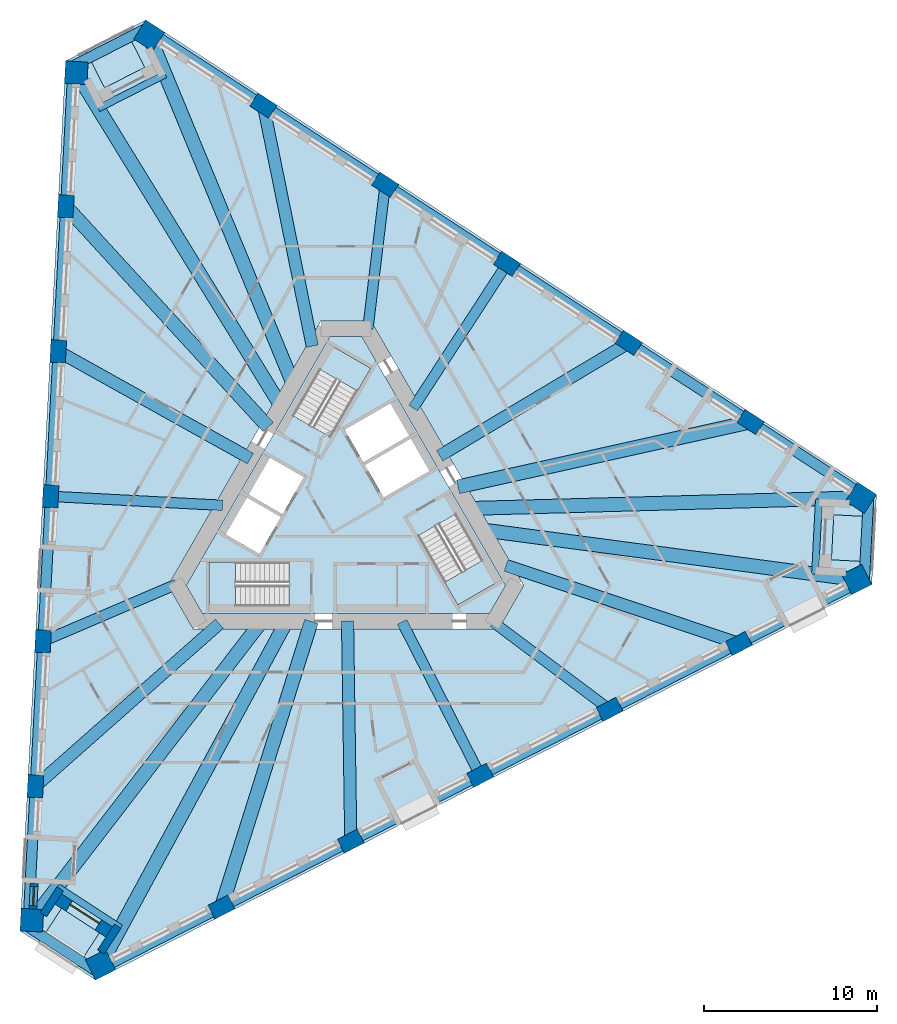
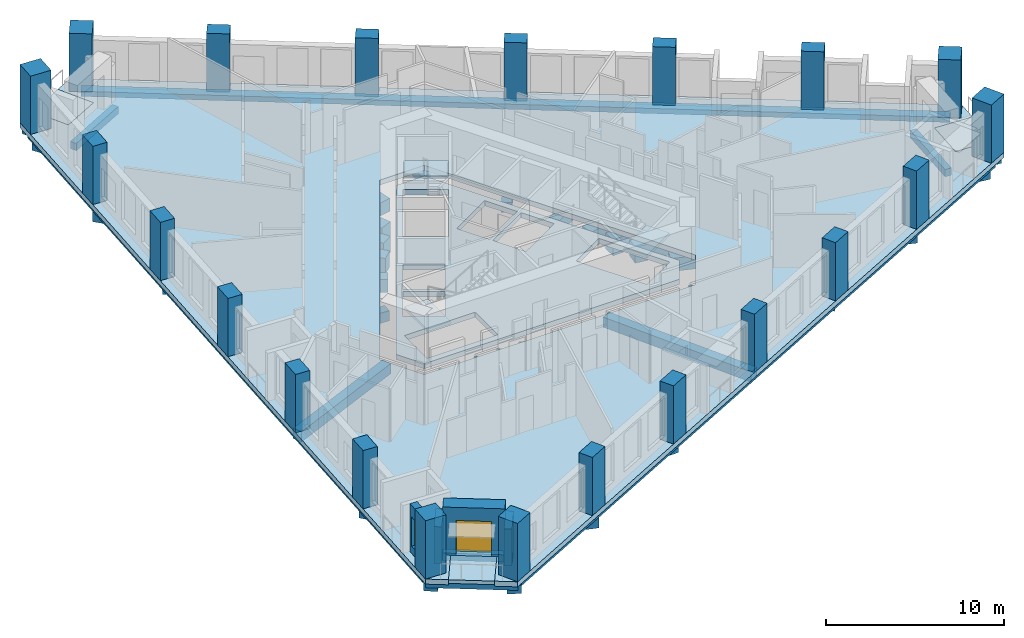
# One storey, part 1 of 13: 30 beams, 21 columns, 8 slabs, 4 walls, 1 door, 1 window, 2 openings, 3 elements without a shape of their own.
"""IFC4 building model written with IfcOpenShell, lengths in metres."""

from ifc_helpers import new_model, si_unit, direction, frame, frame_2d, origin, origin_2d, place, context, subcontext, project, spatial, polyline, rectangle, outline, extrude, material, layer, layer_set, material_profile, profile_set, type_object, element, fill, aggregate, save


model = new_model("IFC4")

# Units and contexts
model_context = context("Model", 3, precision=1e-05, world=origin(), true_north=direction((0.0, 1.0)))
body_context = subcontext(model_context, "Body", "Model", "MODEL_VIEW")
ifc_project = project(units=[si_unit("LENGTHUNIT", "METRE"), si_unit("AREAUNIT", "SQUARE_METRE"), si_unit("VOLUMEUNIT", "CUBIC_METRE"), si_unit("PLANEANGLEUNIT", "RADIAN"), si_unit("MASSUNIT", "GRAM", prefix="KILO")], contexts=[model_context])

# Site, building, storey
site_placement = place(None, origin())
site = spatial("IfcSite", under=ifc_project, at=site_placement, CompositionType="ELEMENT")
building_placement = place(site_placement, origin())
building = spatial("IfcBuilding", under=site, at=building_placement, Name="Tramontana Tower", CompositionType="ELEMENT")
storey_placement = place(building_placement, frame((0.0, 0.0, 141.60009765625)))
storey = spatial("IfcBuildingStorey", under=building, at=storey_placement, Name="L32", CompositionType="ELEMENT", Elevation=141.60009765625)

# Columns
ifc_material_1 = material(Name="Concrete 70 MPa", Category="concrete")
ifc_material_profile_1 = material_profile(ifc_material_1, rectangle(XDim=1.300048828125, YDim=1.300048828125, at=origin_2d()), Name="Mega column 1300X1300 70 MPa")
ifc_profile_set_1 = profile_set([ifc_material_profile_1], Name="Concrete 70 MPa")
column_type_1 = type_object("IfcColumnType", Name="Mega column 1300X1300 70 MPa", PredefinedType="COLUMN", material=ifc_profile_set_1)
for number, where, z_axis, x_axis, name in (
    (1, (-15.546630859375, 25.31298828125, 0.0), (0.0, 0.0, 1.0), (-0.052335956243, -0.998629534755, 0.0), "Mega column C3K1 L32"),
    (2, (-18.107177734375, -23.54931640625, 0.0), (0.0, 0.0, 1.0), (-0.052335956243, -0.998629534755, 0.0), "Mega column C3K2 L32"),
    (3, (-14.1484375, -26.1201171875, 0.0), (0.0, 0.0, 1.0), (0.891006524188, 0.45399049974, 0.0), "Mega column C3K3 L32"),
    (4, (29.447998046875, -3.90673828125, 0.0), (0.0, 0.0, 1.0), (0.891006524188, 0.45399049974, 0.0), "Mega column C3K4 L32"),
    (5, (29.695068359375, 0.80712890625, 0.0), (0.0, 0.0, 1.0), (-0.838670567945, 0.544639035015, 0.0), "Mega column C3K5 L32"),
    (6, (-11.340576171875, 27.4560546875, 0.0), (0.0, 0.0, 1.0), (-0.838670567945, 0.544639035015, 0.0), "Mega column C3K6 L32"),
):
    element("IfcColumn", number, at=place(storey_placement, frame(where, z_axis=z_axis, x_axis=x_axis)), inside=storey, type_object=column_type_1, Name=name, PredefinedType="COLUMN", context=body_context, shape_type="SweptSolid", body=[
        extrude(rectangle(XDim=1.300048828125, YDim=1.300048828125, at=origin_2d()), origin(), (0.0, 0.0, 1.0), 4.0),
    ])
ifc_material_2 = material(Name="Concrete 55 MPa", Category="concrete")
ifc_material_profile_2 = material_profile(ifc_material_2, rectangle(XDim=1.300048828125, YDim=0.89990234375, at=origin_2d()), Name="Pier column 1300X900 55 MPa")
ifc_profile_set_2 = profile_set([ifc_material_profile_2], Name="Concrete 55 MPa")
column_type_2 = type_object("IfcColumnType", Name="Pier column 1300X900 55 MPa", PredefinedType="COLUMN", material=ifc_profile_set_2)
for number, where, z_axis, x_axis, name in (
    (7, (-16.150390625, 17.612548828125, 0.0), (0.0, 0.0, 1.0), (-0.052335956243, -0.998629534755, 0.0), "Pier column C3F01 L32"),
    (8, (-16.58837890625, 9.25244140625, 0.0), (0.0, 0.0, 1.0), (-0.052335956243, -0.998629534755, 0.0), "Pier column C3F02 L32"),
    (9, (-17.026611328125, 0.892333984375, 0.0), (0.0, 0.0, 1.0), (-0.052335956243, -0.998629534755, 0.0), "Pier column C3F03 L32"),
    (10, (-17.46484375, -7.4677734375, 0.0), (0.0, 0.0, 1.0), (-0.052335956243, -0.998629534755, 0.0), "Pier column C3F04 L32"),
    (11, (-17.90283203125, -15.827880859375, 0.0), (0.0, 0.0, 1.0), (-0.052335956243, -0.998629534755, 0.0), "Pier column C3F05 L32"),
    (12, (-7.177734375, -22.79296875, 0.0), (0.0, 0.0, 1.0), (0.891006524188, 0.45399049974, 0.0), "Pier column C3F06 L32"),
    (13, (0.281494140625, -18.9921875, 0.0), (0.0, 0.0, 1.0), (0.891006524188, 0.45399049974, 0.0), "Pier column C3F07 L32"),
    (14, (7.740478515625, -15.191650390625, 0.0), (0.0, 0.0, 1.0), (0.891006524188, 0.45399049974, 0.0), "Pier column C3F08 L32"),
    (15, (15.19970703125, -11.39111328125, 0.0), (0.0, 0.0, 1.0), (0.891006524188, 0.45399049974, 0.0), "Pier column C3F09 L32"),
    (16, (22.65869140625, -7.59033203125, 0.0), (0.0, 0.0, 1.0), (0.891006524188, 0.45399049974, 0.0), "Pier column C3F10 L32"),
    (17, (23.328125, 5.180419921875, 0.0), (0.0, 0.0, 1.0), (-0.838670567945, 0.544639035015, 0.0), "Pier column C3F11 L32"),
    (18, (16.30712890625, 9.73974609375, 0.0), (0.0, 0.0, 1.0), (-0.838670567945, 0.544639035015, 0.0), "Pier column C3F12 L32"),
    (19, (9.2861328125, 14.29931640625, 0.0), (0.0, 0.0, 1.0), (-0.838670567945, 0.544639035015, 0.0), "Pier column C3F13 L32"),
    (20, (2.26513671875, 18.85888671875, 0.0), (0.0, 0.0, 1.0), (-0.838670567945, 0.544639035015, 0.0), "Pier column C3F14 L32"),
    (21, (-4.755859375, 23.418212890625, 0.0), (0.0, 0.0, 1.0), (-0.838670567945, 0.544639035015, 0.0), "Pier column C3F15 L32"),
):
    element("IfcColumn", number, at=place(storey_placement, frame(where, z_axis=z_axis, x_axis=x_axis)), inside=storey, type_object=column_type_2, Name=name, PredefinedType="COLUMN", context=body_context, shape_type="SweptSolid", body=[
        extrude(rectangle(XDim=1.300048828125, YDim=0.89990234375, at=origin_2d()), origin(), (0.0, 0.0, 1.0), 4.0),
    ])

# Beams
ifc_material_3 = material(Name="Concrete 40 MPa", Category="concrete")
ifc_material_profile_3 = material_profile(ifc_material_3, rectangle(XDim=0.60009765625, YDim=0.35009765625, at=origin_2d()), Name="RC EDGE BEAM 600X350 40 MPa")
ifc_profile_set_3 = profile_set([ifc_material_profile_3], Name="Concrete 40 MPa")
beam_type_1 = type_object("IfcBeamType", Name="RC EDGE BEAM 600X350 40 MPa", PredefinedType="SPANDREL", material=ifc_profile_set_3)
for number, where, z_axis, x_axis, name in (
    (22, (-15.74609375, 25.323486328125, -0.525146484375), (-0.052336488944, -0.998629506837, 0.0), (0.998629506837, -0.052336488944, 0.0), "Spandrel beam S0 L32"),
    (23, (-14.0576171875, -26.29833984375, -0.525146484375), (0.89100747088, 0.453988641748, 0.0), (-0.453988641748, 0.89100747088, 0.0), "Spandrel beam S1 L32"),
    (24, (29.803955078125, 0.974853515625, -0.525146484375), (-0.838669945923, 0.544639992844, 0.0), (-0.544639992844, -0.838669945923, 0.0), "Spandrel beam S2 L32"),
):
    element("IfcBeam", number, at=place(storey_placement, frame(where, z_axis=z_axis, x_axis=x_axis)), inside=storey, type_object=beam_type_1, Name=name, PredefinedType="SPANDREL", context=body_context, shape_type="SweptSolid", body=[
        extrude(rectangle(XDim=0.60009765625, YDim=0.35009765625, at=origin_2d()), origin(), (0.0, 0.0, 1.0), 48.929443359375),
    ])
for number, where, z_axis, x_axis, name in (
    (25, (-11.327392578125, 27.9541015625, -0.525146484375), (-0.891018699398, -0.453966603753, 0.0), (0.453966603753, -0.891018699398, 0.0), "Spandrel beam K0 L32"),
    (26, (-18.54541015625, -23.787109375, -0.525146484375), (0.838668969916, -0.544641495757, 0.0), (0.544641495757, 0.838668969916, 0.0), "Spandrel beam K1 L32"),
):
    element("IfcBeam", number, at=place(storey_placement, frame(where, z_axis=z_axis, x_axis=x_axis)), inside=storey, type_object=beam_type_1, Name=name, PredefinedType="SPANDREL", context=body_context, shape_type="SweptSolid", body=[
        extrude(rectangle(XDim=0.60009765625, YDim=0.35009765625, at=origin_2d()), origin(), (0.0, 0.0, 1.0), 5.1962890625),
    ])
beam_1_placement = place(storey_placement, frame((29.872802734375, -4.167236328125, -0.525146484375), z_axis=(0.052341816109, 0.998629227635, 0.0), x_axis=(-0.998629227635, 0.052341816109, 0.0)))
element("IfcBeam", 27, at=beam_1_placement, inside=storey, type_object=beam_type_1, Name="Spandrel beam K2 L32", PredefinedType="SPANDREL", context=body_context, shape_type="SweptSolid", body=[
    extrude(rectangle(XDim=0.60009765625, YDim=0.35009765625, at=origin_2d()), origin(), (0.0, 0.0, 1.0), 5.196044921875),
])
ifc_material_4 = material(Name="Concrete 40 MPa", Category="concrete")
ifc_material_profile_4 = material_profile(ifc_material_4, rectangle(XDim=0.60009765625, YDim=0.699951171875, at=origin_2d()), Name="RC GIRDER 600X700 40 MPa")
ifc_profile_set_4 = profile_set([ifc_material_profile_4], Name="Concrete 40 MPa")
beam_type_2 = type_object("IfcBeamType", Name="RC GIRDER 600X700 40 MPa", PredefinedType="BEAM", material=ifc_profile_set_4)
beam_2_placement = place(storey_placement, frame((-17.026611328125, 0.892333984375, -0.7001953125), z_axis=(0.998628816447, -0.052349660575, 0.0), x_axis=(0.052349660575, 0.998628816447, 0.0)))
element("IfcBeam", 28, at=beam_2_placement, inside=storey, type_object=beam_type_2, Name="Radial girder C3F03 L32", PredefinedType="BEAM", context=body_context, shape_type="SweptSolid", body=[
    extrude(rectangle(XDim=0.60009765625, YDim=0.699951171875, at=origin_2d()), origin(), (0.0, 0.0, 1.0), 9.92431640625),
])
beam_3_placement = place(storey_placement, frame((-17.46484375, -7.4677734375, -0.7001953125), z_axis=(0.919473795441, 0.393151293394, 0.0), x_axis=(-0.393151293394, 0.919473795441, 0.0)))
element("IfcBeam", 29, at=beam_3_placement, inside=storey, type_object=beam_type_2, Name="Radial girder C3F04 L32", PredefinedType="BEAM", context=body_context, shape_type="SweptSolid", body=[
    extrude(rectangle(XDim=0.60009765625, YDim=0.699951171875, at=origin_2d()), origin(), (0.0, 0.0, 1.0), 8.365234375),
])
beam_4_placement = place(storey_placement, frame((7.740478515625, -15.191650390625, -0.7001953125), z_axis=(-0.453980690523, 0.891011522166, 0.0), x_axis=(-0.891011522166, -0.453980690523, 0.0)))
element("IfcBeam", 30, at=beam_4_placement, inside=storey, type_object=beam_type_2, Name="Radial girder C3F08 L32", PredefinedType="BEAM", context=body_context, shape_type="SweptSolid", body=[
    extrude(rectangle(XDim=0.60009765625, YDim=0.699951171875, at=origin_2d()), origin(), (0.0, 0.0, 1.0), 9.924072265625),
])
beam_5_placement = place(storey_placement, frame((15.19970703125, -11.39111328125, -0.7001953125), z_axis=(-0.800213580839, 0.599715119904, 0.0), x_axis=(-0.599715119904, -0.800213580839, 0.0)))
element("IfcBeam", 31, at=beam_5_placement, inside=storey, type_object=beam_type_2, Name="Radial girder C3F09 L32", PredefinedType="BEAM", context=body_context, shape_type="SweptSolid", body=[
    extrude(rectangle(XDim=0.60009765625, YDim=0.699951171875, at=origin_2d()), origin(), (0.0, 0.0, 1.0), 8.365478515625),
])
beam_6_placement = place(storey_placement, frame((9.2861328125, 14.29931640625, -0.7001953125), z_axis=(-0.54464589271, -0.838666114466, 0.0), x_axis=(0.838666114466, -0.54464589271, 0.0)))
element("IfcBeam", 32, at=beam_6_placement, inside=storey, type_object=beam_type_2, Name="Radial girder C3F13 L32", PredefinedType="BEAM", context=body_context, shape_type="SweptSolid", body=[
    extrude(rectangle(XDim=0.60009765625, YDim=0.699951171875, at=origin_2d()), origin(), (0.0, 0.0, 1.0), 9.92431640625),
])
beam_7_placement = place(storey_placement, frame((2.26513671875, 18.85888671875, -0.7001953125), z_axis=(-0.119248793527, -0.992864404258, 0.0), x_axis=(0.992864404258, -0.119248793527, 0.0)))
element("IfcBeam", 33, at=beam_7_placement, inside=storey, type_object=beam_type_2, Name="Radial girder C3F14 L32", PredefinedType="BEAM", context=body_context, shape_type="SweptSolid", body=[
    extrude(rectangle(XDim=0.60009765625, YDim=0.699951171875, at=origin_2d()), origin(), (0.0, 0.0, 1.0), 8.365234375),
])
ifc_material_5 = material(Name="Concrete 40 MPa", Category="concrete")
ifc_material_profile_5 = material_profile(ifc_material_5, rectangle(XDim=0.699951171875, YDim=0.89990234375, at=origin_2d()), Name="RC GIRDER 700X900 40 MPa")
ifc_profile_set_5 = profile_set([ifc_material_profile_5], Name="Concrete 40 MPa")
beam_type_3 = type_object("IfcBeamType", Name="RC GIRDER 700X900 40 MPa", PredefinedType="BEAM", material=ifc_profile_set_5)
beam_8_placement = place(storey_placement, frame((-16.58837890625, 9.25244140625, -0.800048828125), z_axis=(0.873332247198, -0.487125020917, 0.0), x_axis=(0.487125020917, 0.873332247198, 0.0)))
element("IfcBeam", 34, at=beam_8_placement, inside=storey, type_object=beam_type_3, Name="Radial girder C3F02 L32", PredefinedType="BEAM", context=body_context, shape_type="SweptSolid", body=[
    extrude(rectangle(XDim=0.699951171875, YDim=0.89990234375, at=origin_2d()), origin(), (0.0, 0.0, 1.0), 12.693603515625),
])
beam_9_placement = place(storey_placement, frame((-17.90283203125, -15.827880859375, -0.800048828125), z_axis=(0.74918417634, 0.662361736456, 0.0), x_axis=(-0.662361736456, 0.74918417634, 0.0)))
element("IfcBeam", 35, at=beam_9_placement, inside=storey, type_object=beam_type_3, Name="Radial girder C3F05 L32", PredefinedType="BEAM", context=body_context, shape_type="SweptSolid", body=[
    extrude(rectangle(XDim=0.699951171875, YDim=0.89990234375, at=origin_2d()), origin(), (0.0, 0.0, 1.0), 14.1552734375),
])
beam_10_placement = place(storey_placement, frame((0.281494140625, -18.9921875, -0.800048828125), z_axis=(-0.014829000023, 0.999890044334, 0.0), x_axis=(-0.999890044334, -0.014829000023, 0.0)))
element("IfcBeam", 36, at=beam_10_placement, inside=storey, type_object=beam_type_3, Name="Radial girder C3F07 L32", PredefinedType="BEAM", context=body_context, shape_type="SweptSolid", body=[
    extrude(rectangle(XDim=0.699951171875, YDim=0.89990234375, at=origin_2d()), origin(), (0.0, 0.0, 1.0), 12.693603515625),
])
beam_11_placement = place(storey_placement, frame((22.65869140625, -7.59033203125, -0.800048828125), z_axis=(-0.948211400457, 0.317639953476, 0.0), x_axis=(-0.317639953476, -0.948211400457, 0.0)))
element("IfcBeam", 37, at=beam_11_placement, inside=storey, type_object=beam_type_3, Name="Radial girder C3F10 L32", PredefinedType="BEAM", context=body_context, shape_type="SweptSolid", body=[
    extrude(rectangle(XDim=0.699951171875, YDim=0.89990234375, at=origin_2d()), origin(), (0.0, 0.0, 1.0), 14.155517578125),
])
beam_12_placement = place(storey_placement, frame((16.30712890625, 9.73974609375, -0.800048828125), z_axis=(-0.858533155932, -0.512758052268, 0.0), x_axis=(0.512758052268, -0.858533155932, 0.0)))
element("IfcBeam", 38, at=beam_12_placement, inside=storey, type_object=beam_type_3, Name="Radial girder C3F12 L32", PredefinedType="BEAM", context=body_context, shape_type="SweptSolid", body=[
    extrude(rectangle(XDim=0.699951171875, YDim=0.89990234375, at=origin_2d()), origin(), (0.0, 0.0, 1.0), 12.693603515625),
])
beam_13_placement = place(storey_placement, frame((-4.755859375, 23.418212890625, -0.800048828125), z_axis=(0.199014115168, -0.979996623445, 0.0), x_axis=(0.979996623445, 0.199014115168, 0.0)))
element("IfcBeam", 39, at=beam_13_placement, inside=storey, type_object=beam_type_3, Name="Radial girder C3F15 L32", PredefinedType="BEAM", context=body_context, shape_type="SweptSolid", body=[
    extrude(rectangle(XDim=0.699951171875, YDim=0.89990234375, at=origin_2d()), origin(), (0.0, 0.0, 1.0), 14.155517578125),
])
ifc_material_6 = material(Name="Concrete 40 MPa", Category="concrete")
ifc_material_profile_6 = material_profile(ifc_material_6, rectangle(XDim=0.800048828125, YDim=1.10009765625, at=origin_2d()), Name="RC GIRDER 800X1100 40 MPa")
ifc_profile_set_6 = profile_set([ifc_material_profile_6], Name="Concrete 40 MPa")
beam_type_4 = type_object("IfcBeamType", Name="RC GIRDER 800X1100 40 MPa", PredefinedType="BEAM", material=ifc_profile_set_6)
beam_14_placement = place(storey_placement, frame((-15.54638671875, 25.31298828125, -0.900146484375), z_axis=(0.523345221795, -0.852120753664, 0.0), x_axis=(0.852120753664, 0.523345221795, 0.0)))
element("IfcBeam", 40, at=beam_14_placement, inside=storey, type_object=beam_type_4, Name="Radial girder C3K1 L32", PredefinedType="BEAM", context=body_context, shape_type="SweptSolid", body=[
    extrude(rectangle(XDim=0.800048828125, YDim=1.10009765625, at=origin_2d()), origin(), (0.0, 0.0, 1.0), 22.479248046875),
])
beam_15_placement = place(storey_placement, frame((-16.150390625, 17.612548828125, -0.900146484375), z_axis=(0.675852012308, -0.737037351469, 0.0), x_axis=(0.737037351469, 0.675852012308, 0.0)))
element("IfcBeam", 41, at=beam_15_placement, inside=storey, type_object=beam_type_4, Name="Radial girder C3F01 L32", PredefinedType="BEAM", context=body_context, shape_type="SweptSolid", body=[
    extrude(rectangle(XDim=0.800048828125, YDim=1.10009765625, at=origin_2d()), origin(), (0.0, 0.0, 1.0), 17.26953125),
])
beam_16_placement = place(storey_placement, frame((-18.107421875, -23.54931640625, -0.900146484375), z_axis=(0.609557551485, 0.792741818896, 0.0), x_axis=(-0.792741818896, 0.609557551485, 0.0)))
element("IfcBeam", 42, at=beam_16_placement, inside=storey, type_object=beam_type_4, Name="Radial girder C3K2 L32", PredefinedType="BEAM", context=body_context, shape_type="SweptSolid", body=[
    extrude(rectangle(XDim=0.800048828125, YDim=1.10009765625, at=origin_2d()), origin(), (0.0, 0.0, 1.0), 21.641357421875),
])
beam_17_placement = place(storey_placement, frame((-14.1484375, -26.1201171875, -0.900146484375), z_axis=(0.476284198163, 0.879291397991, 0.0), x_axis=(-0.879291397991, 0.476284198163, 0.0)))
element("IfcBeam", 43, at=beam_17_placement, inside=storey, type_object=beam_type_4, Name="Radial girder C3K3 L32", PredefinedType="BEAM", context=body_context, shape_type="SweptSolid", body=[
    extrude(rectangle(XDim=0.800048828125, YDim=1.10009765625, at=origin_2d()), origin(), (0.0, 0.0, 1.0), 22.479248046875),
])
beam_18_placement = place(storey_placement, frame((-7.177734375, -22.79296875, -0.900146484375), z_axis=(0.300368764095, 0.953823152139, 0.0), x_axis=(-0.953823152139, 0.300368764095, 0.0)))
element("IfcBeam", 44, at=beam_18_placement, inside=storey, type_object=beam_type_4, Name="Radial girder C3F06 L32", PredefinedType="BEAM", context=body_context, shape_type="SweptSolid", body=[
    extrude(rectangle(XDim=0.800048828125, YDim=1.10009765625, at=origin_2d()), origin(), (0.0, 0.0, 1.0), 17.26953125),
])
beam_19_placement = place(storey_placement, frame((29.447998046875, -3.90673828125, -0.900146484375), z_axis=(-0.991313997986, 0.131516376914, 0.0), x_axis=(-0.131516376914, -0.991313997986, 0.0)))
element("IfcBeam", 45, at=beam_19_placement, inside=storey, type_object=beam_type_4, Name="Radial girder C3K4 L32", PredefinedType="BEAM", context=body_context, shape_type="SweptSolid", body=[
    extrude(rectangle(XDim=0.800048828125, YDim=1.10009765625, at=origin_2d()), origin(), (0.0, 0.0, 1.0), 21.641357421875),
])
beam_20_placement = place(storey_placement, frame((29.695068359375, 0.80712890625, -0.900146484375), z_axis=(-0.999630732276, -0.027173499768, 0.0), x_axis=(0.027173499768, -0.999630732276, 0.0)))
element("IfcBeam", 46, at=beam_20_placement, inside=storey, type_object=beam_type_4, Name="Radial girder C3K5 L32", PredefinedType="BEAM", context=body_context, shape_type="SweptSolid", body=[
    extrude(rectangle(XDim=0.800048828125, YDim=1.10009765625, at=origin_2d()), origin(), (0.0, 0.0, 1.0), 22.479248046875),
])
beam_21_placement = place(storey_placement, frame((23.328125, 5.180419921875, -0.900146484375), z_axis=(-0.976217985391, -0.216791247516, 0.0), x_axis=(0.216791247516, -0.976217985391, 0.0)))
element("IfcBeam", 47, at=beam_21_placement, inside=storey, type_object=beam_type_4, Name="Radial girder C3F11 L32", PredefinedType="BEAM", context=body_context, shape_type="SweptSolid", body=[
    extrude(rectangle(XDim=0.800048828125, YDim=1.10009765625, at=origin_2d()), origin(), (0.0, 0.0, 1.0), 17.26953125),
])
beam_22_placement = place(storey_placement, frame((-11.3408203125, 27.4560546875, -0.900146484375), z_axis=(0.381767486968, -0.924258397795, 0.0), x_axis=(0.924258397795, 0.381767486968, 0.0)))
element("IfcBeam", 48, at=beam_22_placement, inside=storey, type_object=beam_type_4, Name="Radial girder C3K6 L32", PredefinedType="BEAM", context=body_context, shape_type="SweptSolid", body=[
    extrude(rectangle(XDim=0.800048828125, YDim=1.10009765625, at=origin_2d()), origin(), (0.0, 0.0, 1.0), 21.641357421875),
])
ifc_material_7 = material(Name="Concrete 40 MPa", Category="concrete")
ifc_material_profile_7 = material_profile(ifc_material_7, rectangle(XDim=0.39990234375, YDim=0.5, at=origin_2d()), Name="RC TRIM BEAM 400X500 40 MPa")
ifc_profile_set_7 = profile_set([ifc_material_profile_7], Name="Concrete 40 MPa")
beam_type_5 = type_object("IfcBeamType", Name="RC TRIM BEAM 400X500 40 MPa", PredefinedType="JOIST", material=ifc_profile_set_7)
for number, where, z_axis, x_axis, name in (
    (49, (-10.4169921875, 25.219482421875, -0.60009765625), (-0.891023167183, -0.453957834544, 0.0), (0.453957834544, -0.891023167183, 0.0), "Trimmer beam K0 L32"),
    (50, (-16.63232421875, -21.631103515625, -0.60009765625), (0.838651964019, -0.544667681479, 0.0), (0.544667681479, 0.838651964019, 0.0), "Trimmer beam K1 L32"),
    (51, (27.04931640625, -3.58837890625, -0.60009765625), (0.052310576439, 0.99863086453, 0.0), (-0.99863086453, 0.052310576439, 0.0), "Trimmer beam K2 L32"),
):
    element("IfcBeam", number, at=place(storey_placement, frame(where, z_axis=z_axis, x_axis=x_axis)), inside=storey, type_object=beam_type_5, Name=name, PredefinedType="JOIST", context=body_context, shape_type="SweptSolid", body=[
        extrude(rectangle(XDim=0.39990234375, YDim=0.5, at=origin_2d()), origin(), (0.0, 0.0, 1.0), 4.335693359375),
    ])

# Slabs
ifc_material_8 = material(Name="Precast concrete 50 MPa", Category="concrete")
ifc_layer_1 = layer(ifc_material_8, 0.25)
ifc_layer_set_1 = layer_set([ifc_layer_1], Name="LT1 Loggia floor tray 250")
slab_type_1 = type_object("IfcSlabType", Name="LT1 Loggia floor tray 250", PredefinedType="FLOOR", material=ifc_layer_set_1)
slab_1_placement = place(storey_placement, frame((0.0, 0.0, -0.25)))
element("IfcSlab", 52, at=slab_1_placement, inside=storey, type_object=slab_type_1, Name="Corner loggia floor L32 K30", PredefinedType="FLOOR", context=body_context, shape_type="SweptSolid", body=[
    extrude(outline(polyline([(-12.6884765625, 27.765869140625), (-11.598876953125, 25.62744140625), (-13.91552734375, 24.447021484375), (-15.005126953125, 26.58544921875), (-12.6884765625, 27.765869140625)])), origin(), (0.0, 0.0, 1.0), 0.25),
])
slab_2_placement = place(storey_placement, frame((0.0, 0.0, -0.25)))
element("IfcSlab", 53, at=slab_2_placement, inside=storey, type_object=slab_type_1, Name="Corner loggia floor L32 K31", PredefinedType="FLOOR", context=body_context, shape_type="SweptSolid", body=[
    extrude(outline(polyline([(-17.70166015625, -24.871337890625), (-16.39453125, -22.858642578125), (-14.214111328125, -24.274658203125), (-15.521240234375, -26.28759765625), (-17.70166015625, -24.871337890625)])), origin(), (0.0, 0.0, 1.0), 0.25),
])
slab_3_placement = place(storey_placement, frame((0.0, 0.0, -0.25)))
element("IfcSlab", 54, at=slab_3_placement, inside=storey, type_object=slab_type_1, Name="Corner loggia floor L32 K32", PredefinedType="FLOOR", context=body_context, shape_type="SweptSolid", body=[
    extrude(outline(polyline([(30.39013671875, -2.89453125), (27.993408203125, -2.768798828125), (28.129638671875, -0.17236328125), (30.526123046875, -0.298095703125), (30.39013671875, -2.89453125)])), origin(), (0.0, 0.0, 1.0), 0.25),
])
ifc_material_9 = material(Name="Concrete 40 MPa", Category="concrete")
ifc_layer_2 = layer(ifc_material_9, 0.35009765625)
ifc_layer_set_2 = layer_set([ifc_layer_2], Name="PT FLAT SLAB 350 40 MPa")
slab_type_2 = type_object("IfcSlabType", Name="PT FLAT SLAB 350 40 MPa", PredefinedType="FLOOR", material=ifc_layer_set_2)
slab_4_placement = place(storey_placement, frame((0.0, 0.0, -0.35009765625)))
element("IfcSlab", 55, at=slab_4_placement, inside=storey, type_object=slab_type_2, Name="Floor slab L32", PredefinedType="FLOOR", context=body_context, shape_type="SweptSolid", body=[
    extrude(outline(polyline([(30.526123046875, -0.298095703125), (28.12939453125, -0.17236328125), (27.993408203125, -2.768798828125), (30.39013671875, -2.89453125), (30.322265625, -4.19091796875), (-14.4326171875, -26.994384765625), (-15.521240234375, -26.28759765625), (-14.214111328125, -24.274658203125), (-16.39453125, -22.858642578125), (-17.701904296875, -24.871337890625), (-18.790283203125, -24.164306640625), (-16.16162109375, 25.99609375), (-15.0048828125, 26.58544921875), (-13.915283203125, 24.447021484375), (-11.598876953125, 25.62744140625), (-12.6884765625, 27.765869140625), (-11.53173828125, 28.355224609375), (30.59423828125, 0.998291015625), (30.526123046875, -0.298095703125)]), holes=[polyline([(-10.248046875, -4.25), (-8.8046875, -6.75), (8.8046875, -6.75), (10.248046875, -4.25), (1.443359375, 11.0), (-1.443359375, 11.0), (-10.248046875, -4.25)])]), origin(), (0.0, 0.0, 1.0), 0.35009765625),
])
slab_5_placement = place(storey_placement, frame((0.0, 0.0, -0.35009765625)))
element("IfcSlab", 56, at=slab_5_placement, inside=storey, type_object=slab_type_2, Name="Core floor slab L32", PredefinedType="FLOOR", context=body_context, shape_type="SweptSolid", body=[
    extrude(outline(polyline([(9.208740234375, -4.25), (8.284912109375, -5.85009765625), (-8.284912109375, -5.85009765625), (-9.208740234375, -4.25), (-0.923828125, 10.10009765625), (0.923828125, 10.10009765625), (9.208740234375, -4.25)]), holes=[polyline([(8.659912109375, -4.099365234375), (6.35986328125, -0.115478515625), (4.151611328125, -1.390625), (6.451416015625, -5.374267578125), (8.659912109375, -4.099365234375)]), polyline([(3.829833984375, 4.2666015625), (1.101806640625, 2.69140625), (2.177001953125, 0.82958984375), (4.90478515625, 2.404541015625), (3.829833984375, 4.2666015625)]), polyline([(2.65478515625, 6.3017578125), (-0.072998046875, 4.726806640625), (1.001953125, 2.86474609375), (3.729736328125, 4.439697265625), (2.65478515625, 6.3017578125)]), polyline([(-0.77978515625, 9.54931640625), (-3.079833984375, 5.565673828125), (-0.87158203125, 4.29052734375), (1.428466796875, 8.2744140625), (-0.77978515625, 9.54931640625)]), polyline([(-5.689697265625, 1.044921875), (-3.65478515625, -0.130126953125), (-2.4296875, 1.99169921875), (-4.46484375, 3.166748046875), (-5.689697265625, 1.044921875)]), polyline([(-3.280029296875, -5.449951171875), (-3.280029296875, -2.89990234375), (-7.8798828125, -2.89990234375), (-7.8798828125, -5.449951171875), (-3.280029296875, -5.449951171875)]), polyline([(-7.014892578125, -1.25), (-4.979736328125, -2.425048828125), (-3.754638671875, -0.30322265625), (-5.789794921875, 0.87158203125), (-7.014892578125, -1.25)])]), origin(), (0.0, 0.0, 1.0), 0.35009765625),
])

# Stair, slab
ifc_material_10 = material(Name="Concrete 40 MPa", Category="concrete")
stair_type = type_object("IfcStairType", Name="EXIT STAIR 24 RISERS", PredefinedType="HALF_TURN_STAIR", material=ifc_material_10)
stair_1_placement = place(storey_placement, origin())
stair_1 = element("IfcStair", 57, at=stair_1_placement, inside=storey, type_object=stair_type, Name="L32 Exit stair ST1", PredefinedType="HALF_TURN_STAIR")
ifc_material_11 = material(Name="Concrete 40 MPa", Category="concrete")
ifc_layer_3 = layer(ifc_material_11, 0.199951171875)
ifc_layer_set_3 = layer_set([ifc_layer_3], Name="STAIR LANDING 200")
slab_type_3 = type_object("IfcSlabType", Name="STAIR LANDING 200", PredefinedType="LANDING", material=ifc_layer_set_3)
slab_6_placement = place(storey_placement, frame((0.0, 0.0, 1.7998046875)))
slab_6 = element("IfcSlab", 58, at=slab_6_placement, type_object=slab_type_3, Name="ST1 landing 1", PredefinedType="LANDING", context=body_context, shape_type="SweptSolid", body=[
    extrude(outline(polyline([(0.66845703125, 6.9580078125), (1.428466796875, 8.274169921875), (-0.77978515625, 9.54931640625), (-1.539794921875, 8.23291015625), (0.66845703125, 6.9580078125)])), origin(), (0.0, 0.0, 1.0), 0.2001953125),
])
aggregate(stair_1, [slab_6])

stair_2_placement = place(storey_placement, origin())
stair_2 = element("IfcStair", 59, at=stair_2_placement, inside=storey, type_object=stair_type, Name="L32 Exit stair ST2", PredefinedType="HALF_TURN_STAIR")
slab_7_placement = place(storey_placement, frame((0.0, 0.0, 1.7998046875)))
slab_7 = element("IfcSlab", 60, at=slab_7_placement, type_object=slab_type_3, Name="ST2 landing 1", PredefinedType="LANDING", context=body_context, shape_type="SweptSolid", body=[
    extrude(outline(polyline([(-6.360107421875, -2.89990234375), (-7.8798828125, -2.89990234375), (-7.8798828125, -5.449951171875), (-6.360107421875, -5.449951171875), (-6.360107421875, -2.89990234375)])), origin(), (0.0, 0.0, 1.0), 0.2001953125),
])
aggregate(stair_2, [slab_7])

stair_3_placement = place(storey_placement, origin())
stair_3 = element("IfcStair", 61, at=stair_3_placement, inside=storey, type_object=stair_type, Name="L32 Exit stair ST3", PredefinedType="HALF_TURN_STAIR")
slab_8_placement = place(storey_placement, frame((0.0, 0.0, 1.7998046875)))
slab_8 = element("IfcSlab", 62, at=slab_8_placement, type_object=slab_type_3, Name="ST3 landing 1", PredefinedType="LANDING", context=body_context, shape_type="SweptSolid", body=[
    extrude(outline(polyline([(5.69140625, -4.057861328125), (6.451416015625, -5.374267578125), (8.659912109375, -4.099365234375), (7.89990234375, -2.782958984375), (5.69140625, -4.057861328125)])), origin(), (0.0, 0.0, 1.0), 0.2001953125),
])
aggregate(stair_3, [slab_8])

# Wall, opening, window
ifc_material_12 = material(Name="Precast concrete 60 MPa", Category="concrete")
ifc_layer_4 = layer(ifc_material_12, 0.449951171875)
ifc_layer_set_4 = layer_set([ifc_layer_4], Name="Precast concrete 60 MPa, 450 mm")
wall_type_1 = type_object("IfcWallType", Name="EW1 Stone-faced precast wall 450", PredefinedType="SOLIDWALL", material=ifc_layer_set_4)
wall_1_placement = place(storey_placement, frame((-17.97021484375, -21.4130859375, 0.0), z_axis=(0.0, 0.0, 1.0), x_axis=(-0.052412688754, -0.998625510418, 0.0)))
wall_1 = element("IfcWall", 63, at=wall_1_placement, inside=storey, type_object=wall_type_1, Name="External wall L32 face 0 bay 6", PredefinedType="SOLIDWALL", context=body_context, shape_type="SweptSolid", body=[
    extrude(rectangle(XDim=1.490478515625, YDim=0.449951171875, at=frame_2d((0.7451171875, 0.0))), origin(), (0.0, 0.0, 1.0), 3.2998046875),
])
opening_1_placement = place(wall_1_placement, frame((0.1953125, 0.0, 0.5)))
opening_1 = element("IfcOpeningElement", 64, at=opening_1_placement, cuts=wall_1, Name="Opening N2L", PredefinedType="OPENING", context=body_context, shape_type="SweptSolid", body=[
    extrude(rectangle(XDim=1.10009765625, YDim=2.0, at=frame_2d((0.550048828125, 1.0))), frame((0.0, 0.23486328125, 0.0), z_axis=(0.0, -1.0, 0.0), x_axis=(1.0, 0.0, 0.0)), (0.0, 0.0, 1.0), 0.469970703125),
])
ifc_material_13 = material(Name="Aluminum frame, double glazing unit", Category="aluminium")
window_type = type_object("IfcWindowType", Name="N2L Window 1.1 x 2", PartitioningType="SINGLE_PANEL", PredefinedType="WINDOW", material=ifc_material_13)
window_placement = place(opening_1_placement, origin())
window = element("IfcWindow", 65, at=window_placement, inside=storey, type_object=window_type, Name="Window N2L L32 face 0 module 18", OverallHeight=2.0, OverallWidth=1.10009765625, PartitioningType="SINGLE_PANEL", PredefinedType="WINDOW", context=body_context, shape_type="SweptSolid", body=[
    extrude(rectangle(XDim=1.10009765625, YDim=2.0, at=frame_2d((0.550048828125, 1.0))), frame((0.0, 0.030029296875, 0.0), z_axis=(0.0, -1.0, 0.0), x_axis=(1.0, 0.0, 0.0)), (0.0, 0.0, 1.0), 0.06005859375),
])
fill(opening_1, window)

# Walls
for number, where, z_axis, x_axis, name in (
    (66, (-14.126708984375, -25.379638671875, 0.0), (0.0, 0.0, 1.0), (0.544621738408, 0.83868180024, 0.0), "Corner loggia side wall L32 K31l"),
    (67, (-17.439697265625, -23.228271484375, 0.0), (0.0, 0.0, 1.0), (0.544718245588, 0.838619122679, 0.0), "Corner loggia side wall L32 K31r"),
):
    element("IfcWall", number, at=place(storey_placement, frame(where, z_axis=z_axis, x_axis=x_axis)), inside=storey, type_object=wall_type_1, Name=name, PredefinedType="SOLIDWALL", context=body_context, shape_type="SweptSolid", body=[
        extrude(rectangle(XDim=1.779296875, YDim=0.449951171875, at=frame_2d((0.8896484375, 0.0))), origin(), (0.0, 0.0, 1.0), 2.5498046875),
    ])

# Wall, opening, door
ifc_material_14 = material(Name="Precast concrete 60 MPa", Category="concrete")
ifc_layer_5 = layer(ifc_material_14, 0.89990234375)
ifc_layer_set_5 = layer_set([ifc_layer_5], Name="EW2 Stone-faced corner loggia wall 900")
wall_type_2 = type_object("IfcWallType", Name="EW2 Stone-faced corner loggia wall 900", PredefinedType="SOLIDWALL", material=ifc_layer_set_5)
wall_2_placement = place(storey_placement, frame((-13.591552734375, -24.142333984375, 0.0), z_axis=(0.0, 0.0, 1.0), x_axis=(-0.838665071449, 0.544647498784, 0.0)))
wall_2 = element("IfcWall", 68, at=wall_2_placement, inside=storey, type_object=wall_type_2, Name="Corner loggia wall L32 K31", PredefinedType="SOLIDWALL", context=body_context, shape_type="SweptSolid", body=[
    extrude(rectangle(XDim=3.5, YDim=0.89990234375, at=frame_2d((1.75, 0.0))), origin(), (0.0, 0.0, 1.0), 3.2998046875),
])
opening_2_placement = place(wall_2_placement, frame((0.75, 0.0, 0.0)))
opening_2 = element("IfcOpeningElement", 69, at=opening_2_placement, cuts=wall_2, Name="Opening BD-31C", PredefinedType="OPENING", context=body_context, shape_type="SweptSolid", body=[
    extrude(rectangle(XDim=2.0, YDim=2.39990234375, at=frame_2d((1.0, 1.199951171875))), frame((0.0, 0.4599609375, 0.0), z_axis=(0.0, -1.0, 0.0), x_axis=(1.0, 0.0, 0.0)), (0.0, 0.0, 1.0), 0.919921875),
])
ifc_material_15 = material(Name="Aluminum frame, double glazing unit", Category="aluminium")
door_type = type_object("IfcDoorType", Name="BC1 Sliding door 2 x 2.4", OperationType="SLIDING_TO_LEFT", PredefinedType="DOOR", material=ifc_material_15)
door_placement = place(opening_2_placement, origin())
door = element("IfcDoor", 70, at=door_placement, inside=storey, type_object=door_type, Name="Corner loggia door L32 K31", OperationType="SLIDING_TO_LEFT", OverallHeight=2.39990234375, OverallWidth=2.0, PredefinedType="DOOR", context=body_context, shape_type="SweptSolid", body=[
    extrude(rectangle(XDim=2.0, YDim=2.39990234375, at=frame_2d((1.0, 1.199951171875))), frame((0.0, 0.02490234375, 0.0), z_axis=(0.0, -1.0, 0.0), x_axis=(1.0, 0.0, 0.0)), (0.0, 0.0, 1.0), 0.050048828125),
])
fill(opening_2, door)

save(model, "model.ifc")
